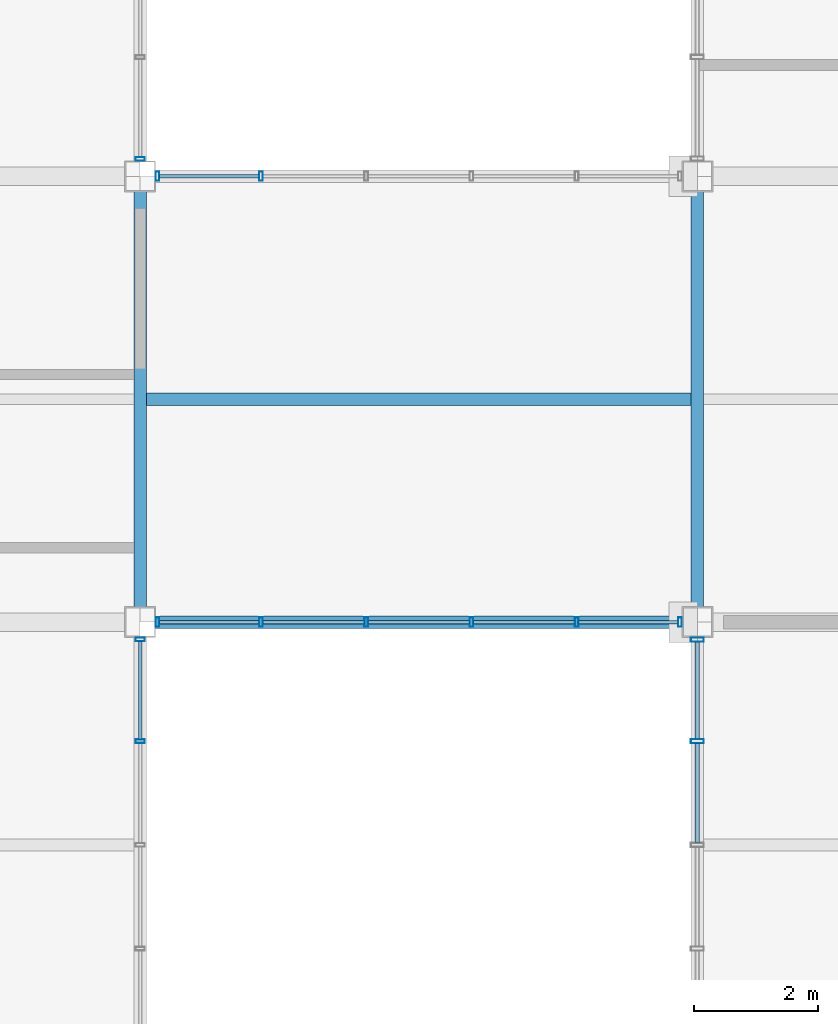
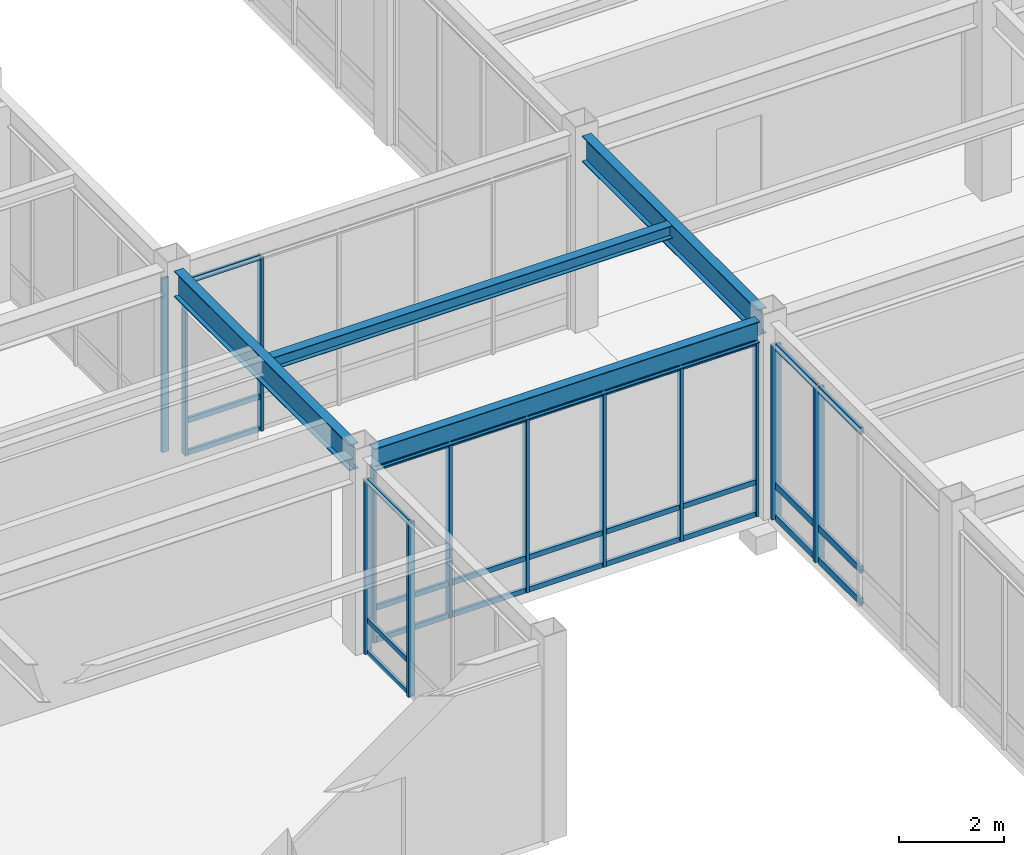
# One storey, part 49 of 112: 40 members, 4 beams, 5 elements without a shape of their own.
"""IFC4 building model written with IfcOpenShell, lengths in metres."""

from ifc_helpers import new_model, si_unit, direction, frame, origin, origin_2d, place, context, subcontext, project, spatial, hollow_rectangle, i_section, extrude, material, material_profile, profile_set, type_object, element, aggregate, save


model = new_model("IFC4")

# Units and contexts
model_context = context("Model", 3, precision=1e-05, world=origin(), true_north=direction((0.0, 1.0)))
body_context = subcontext(model_context, "Body", "Model", "MODEL_VIEW")
ifc_project = project(units=[si_unit("LENGTHUNIT", "METRE"), si_unit("AREAUNIT", "SQUARE_METRE"), si_unit("VOLUMEUNIT", "CUBIC_METRE"), si_unit("PLANEANGLEUNIT", "RADIAN"), si_unit("MASSUNIT", "GRAM", prefix="KILO")], contexts=[model_context])

# Site, building, storey
site_placement = place(None, origin())
site = spatial("IfcSite", under=ifc_project, at=site_placement, CompositionType="ELEMENT")
building_placement = place(site_placement, origin())
building = spatial("IfcBuilding", under=site, at=building_placement, Name="Kazanami Central Library", CompositionType="ELEMENT")
storey_placement = place(building_placement, origin())
storey = spatial("IfcBuildingStorey", under=building, at=storey_placement, Name="L01", CompositionType="ELEMENT", Elevation=0.0)

# Beams
ifc_material_1 = material(Name="Steel SN400B (235 MPa)", Category="steel")
ifc_material_profile_1 = material_profile(ifc_material_1, i_section(OverallWidth=0.199951171875, OverallDepth=0.2939453125, WebThickness=0.008056640625, FlangeThickness=0.011962890625, at=origin_2d()), Name="H-294x200x8x12")
ifc_profile_set_1 = profile_set([ifc_material_profile_1], Name="Steel SN400B (235 MPa)")
beam_type_1 = type_object("IfcBeamType", Name="BM-B-S5", PredefinedType="JOIST", material=ifc_profile_set_1)
beam_1_placement = place(storey_placement, frame((36.097900390625, 68.39990234375, 4.407958984375), z_axis=(1.0, 0.0, 0.0), x_axis=(0.0, 1.0, 0.0)))
element("IfcBeam", 1, at=beam_1_placement, inside=storey, type_object=beam_type_1, Name="Composite Secondary Joist B-S5 L01 Bay 5/K.1", PredefinedType="JOIST", context=body_context, shape_type="SweptSolid", body=[
    extrude(i_section(OverallWidth=0.199951171875, OverallDepth=0.2939453125, WebThickness=0.008056640625, FlangeThickness=0.011962890625, at=origin_2d()), origin(), (0.0, 0.0, 1.0), 8.80419921875),
])
ifc_material_2 = material(Name="Steel SN490B (325 MPa)", Category="steel")
ifc_material_profile_2 = material_profile(ifc_material_2, i_section(OverallWidth=0.199951171875, OverallDepth=0.60009765625, WebThickness=0.010986328125, FlangeThickness=0.01708984375, at=origin_2d()), Name="H-600x200x11x17")
ifc_profile_set_2 = profile_set([ifc_material_profile_2], Name="Steel SN490B (325 MPa)")
beam_type_2 = type_object("IfcBeamType", Name="BM-G-Y1", PredefinedType="BEAM", material=ifc_profile_set_2)
for number, where, z_axis, x_axis, name in (
    (2, (36.0, 65.048095703125, 4.2548828125), (0.0, 1.0, 0.0), (-1.0, 0.0, 0.0), "Girder G-Y1 L01 5/K-L"),
    (3, (45.0, 65.048095703125, 4.2548828125), (0.0, 1.0, 0.0), (-1.0, 0.0, 0.0), "Girder G-Y1 L01 6/K-L"),
):
    element("IfcBeam", number, at=place(storey_placement, frame(where, z_axis=z_axis, x_axis=x_axis)), inside=storey, type_object=beam_type_2, Name=name, PredefinedType="BEAM", context=body_context, shape_type="SweptSolid", body=[
        extrude(i_section(OverallWidth=0.199951171875, OverallDepth=0.60009765625, WebThickness=0.010986328125, FlangeThickness=0.01708984375, at=origin_2d()), origin(), (0.0, 0.0, 1.0), 6.703857421875),
    ])
ifc_material_profile_3 = material_profile(ifc_material_2, i_section(OverallWidth=0.199951171875, OverallDepth=0.5, WebThickness=0.010009765625, FlangeThickness=0.01611328125, at=origin_2d()), Name="H-500x200x10x16")
ifc_profile_set_3 = profile_set([ifc_material_profile_3], Name="Steel SN490B (325 MPa)")
beam_type_3 = type_object("IfcBeamType", Name="BM-SP-1", PredefinedType="SPANDREL", material=ifc_profile_set_3)
beam_2_placement = place(storey_placement, frame((36.248046875, 64.800048828125, 4.304931640625), z_axis=(1.0, 0.0, 0.0), x_axis=(0.0, 1.0, 0.0)))
element("IfcBeam", 4, at=beam_2_placement, inside=storey, type_object=beam_type_3, Name="Covered Link Bridge Girder SP-1 L01 K/5-6", PredefinedType="SPANDREL", context=body_context, shape_type="SweptSolid", body=[
    extrude(i_section(OverallWidth=0.199951171875, OverallDepth=0.5, WebThickness=0.010009765625, FlangeThickness=0.01611328125, at=origin_2d()), origin(), (0.0, 0.0, 1.0), 8.50390625),
])

# Curtain wall, members
ifc_material_3 = material(Name="Acid-Etched Low-E Laminated Glass", Category="glass")
curtain_wall_type_1 = type_object("IfcCurtainWallType", Name="CW-6700x4055-M180", PredefinedType="USERDEFINED", material=ifc_material_3)
curtain_wall_1_placement = place(storey_placement, origin())
curtain_wall_1 = element("IfcCurtainWall", 5, at=curtain_wall_1_placement, inside=storey, type_object=curtain_wall_type_1, Name="Covered Link Bridge Curtain Wall CW-09 L01 W-6-08", ObjectType="UNITISED CURTAIN WALL", PredefinedType="USERDEFINED")
ifc_material_4 = material(Name="Anodised Aluminium A6063-T5", Category="aluminium")
ifc_material_profile_4 = material_profile(ifc_material_4, hollow_rectangle(XDim=0.070068359375, YDim=0.2099609375, WallThickness=0.0048828125, at=origin_2d()), Name="ALU-MULL-70x210x5")
ifc_profile_set_4 = profile_set([ifc_material_profile_4], Name="Anodised Aluminium A6063-T5")
member_type_1 = type_object("IfcMemberType", Name="MEM-CW-M1", PredefinedType="MULLION", material=ifc_profile_set_4)
member_1_placement = place(storey_placement, frame((45.0, 62.875, 0.0), z_axis=(0.0, 0.0, 1.0), x_axis=(0.0, 1.0, 0.0)))
member_1 = element("IfcMember", 6, at=member_1_placement, type_object=member_type_1, Name="CW-09 mullion 4", PredefinedType="MULLION", context=body_context, shape_type="SweptSolid", body=[
    extrude(hollow_rectangle(XDim=0.070068359375, YDim=0.2099609375, WallThickness=0.0048828125, at=origin_2d()), origin(), (0.0, 0.0, 1.0), 4.054931640625),
])
member_2_placement = place(storey_placement, frame((45.0, 64.514892578125, 0.0), z_axis=(0.0, 0.0, 1.0), x_axis=(0.0, 1.0, 0.0)))
member_2 = element("IfcMember", 7, at=member_2_placement, type_object=member_type_1, Name="CW-09 mullion 5", PredefinedType="MULLION", context=body_context, shape_type="SweptSolid", body=[
    extrude(hollow_rectangle(XDim=0.070068359375, YDim=0.2099609375, WallThickness=0.0048828125, at=origin_2d()), origin(), (0.0, 0.0, 1.0), 4.054931640625),
])

curtain_wall_type_2 = type_object("IfcCurtainWallType", Name="CW-8500x4055-M180", PredefinedType="USERDEFINED", material=ifc_material_3)
curtain_wall_2_placement = place(storey_placement, origin())
curtain_wall_2 = element("IfcCurtainWall", 8, at=curtain_wall_2_placement, inside=storey, type_object=curtain_wall_type_2, Name="Covered Link Bridge Curtain Wall CW-02 L01 S-K-04", ObjectType="UNITISED CURTAIN WALL", PredefinedType="USERDEFINED")
ifc_material_profile_5 = material_profile(ifc_material_4, hollow_rectangle(XDim=0.06005859375, YDim=0.14990234375, WallThickness=0.00390625, at=origin_2d()), Name="ALU-MULL-60x150x4")
ifc_profile_set_5 = profile_set([ifc_material_profile_5], Name="Anodised Aluminium A6063-T5")
member_type_2 = type_object("IfcMemberType", Name="MEM-CW-M3", PredefinedType="MULLION", material=ifc_profile_set_5)
member_3_placement = place(storey_placement, frame((36.280029296875, 64.800048828125, 0.0), z_axis=(0.0, 0.0, 1.0), x_axis=(1.0, 0.0, 0.0)))
member_3 = element("IfcMember", 9, at=member_3_placement, type_object=member_type_2, Name="CW-02 mullion 1", PredefinedType="MULLION", context=body_context, shape_type="SweptSolid", body=[
    extrude(hollow_rectangle(XDim=0.06005859375, YDim=0.14990234375, WallThickness=0.00390625, at=origin_2d()), origin(), (0.0, 0.0, 1.0), 4.054931640625),
])
member_4_placement = place(storey_placement, frame((37.949951171875, 64.800048828125, 0.0), z_axis=(0.0, 0.0, 1.0), x_axis=(1.0, 0.0, 0.0)))
member_4 = element("IfcMember", 10, at=member_4_placement, type_object=member_type_2, Name="CW-02 mullion 2", PredefinedType="MULLION", context=body_context, shape_type="SweptSolid", body=[
    extrude(hollow_rectangle(XDim=0.06005859375, YDim=0.14990234375, WallThickness=0.00390625, at=origin_2d()), origin(), (0.0, 0.0, 1.0), 4.054931640625),
])
member_5_placement = place(storey_placement, frame((39.64990234375, 64.800048828125, 0.0), z_axis=(0.0, 0.0, 1.0), x_axis=(1.0, 0.0, 0.0)))
member_5 = element("IfcMember", 11, at=member_5_placement, type_object=member_type_2, Name="CW-02 mullion 3", PredefinedType="MULLION", context=body_context, shape_type="SweptSolid", body=[
    extrude(hollow_rectangle(XDim=0.06005859375, YDim=0.14990234375, WallThickness=0.00390625, at=origin_2d()), origin(), (0.0, 0.0, 1.0), 4.054931640625),
])
member_6_placement = place(storey_placement, frame((41.35009765625, 64.800048828125, 0.0), z_axis=(0.0, 0.0, 1.0), x_axis=(1.0, 0.0, 0.0)))
member_6 = element("IfcMember", 12, at=member_6_placement, type_object=member_type_2, Name="CW-02 mullion 4", PredefinedType="MULLION", context=body_context, shape_type="SweptSolid", body=[
    extrude(hollow_rectangle(XDim=0.06005859375, YDim=0.14990234375, WallThickness=0.00390625, at=origin_2d()), origin(), (0.0, 0.0, 1.0), 4.054931640625),
])
member_7_placement = place(storey_placement, frame((43.050048828125, 64.800048828125, 0.0), z_axis=(0.0, 0.0, 1.0), x_axis=(1.0, 0.0, 0.0)))
member_7 = element("IfcMember", 13, at=member_7_placement, type_object=member_type_2, Name="CW-02 mullion 5", PredefinedType="MULLION", context=body_context, shape_type="SweptSolid", body=[
    extrude(hollow_rectangle(XDim=0.06005859375, YDim=0.14990234375, WallThickness=0.00390625, at=origin_2d()), origin(), (0.0, 0.0, 1.0), 4.054931640625),
])
member_8_placement = place(storey_placement, frame((44.719970703125, 64.800048828125, 0.0), z_axis=(0.0, 0.0, 1.0), x_axis=(1.0, 0.0, 0.0)))
member_8 = element("IfcMember", 14, at=member_8_placement, type_object=member_type_2, Name="CW-02 mullion 6", PredefinedType="MULLION", context=body_context, shape_type="SweptSolid", body=[
    extrude(hollow_rectangle(XDim=0.06005859375, YDim=0.14990234375, WallThickness=0.00390625, at=origin_2d()), origin(), (0.0, 0.0, 1.0), 4.054931640625),
])

curtain_wall_3_placement = place(storey_placement, origin())
curtain_wall_3 = element("IfcCurtainWall", 15, at=curtain_wall_3_placement, inside=storey, type_object=curtain_wall_type_2, Name="Covered Link Bridge Curtain Wall CW-02 L01 N-L-04", ObjectType="UNITISED CURTAIN WALL", PredefinedType="USERDEFINED")
member_9_placement = place(storey_placement, frame((37.949951171875, 72.0, 0.0), z_axis=(0.0, 0.0, 1.0), x_axis=(-1.0, 0.0, 0.0)))
member_9 = element("IfcMember", 16, at=member_9_placement, type_object=member_type_2, Name="CW-02 mullion 5", PredefinedType="MULLION", context=body_context, shape_type="SweptSolid", body=[
    extrude(hollow_rectangle(XDim=0.06005859375, YDim=0.14990234375, WallThickness=0.00390625, at=origin_2d()), origin(), (0.0, 0.0, 1.0), 4.054931640625),
])
member_10_placement = place(storey_placement, frame((36.280029296875, 72.0, 0.0), z_axis=(0.0, 0.0, 1.0), x_axis=(-1.0, 0.0, 0.0)))
member_10 = element("IfcMember", 17, at=member_10_placement, type_object=member_type_2, Name="CW-02 mullion 6", PredefinedType="MULLION", context=body_context, shape_type="SweptSolid", body=[
    extrude(hollow_rectangle(XDim=0.06005859375, YDim=0.14990234375, WallThickness=0.00390625, at=origin_2d()), origin(), (0.0, 0.0, 1.0), 4.054931640625),
])

curtain_wall_4_placement = place(storey_placement, origin())
curtain_wall_4 = element("IfcCurtainWall", 18, at=curtain_wall_4_placement, inside=storey, type_object=curtain_wall_type_1, Name="Covered Link Bridge Curtain Wall CW-09 L01 E-5-08", ObjectType="UNITISED CURTAIN WALL", PredefinedType="USERDEFINED")
member_11_placement = place(storey_placement, frame((36.0, 64.52001953125, 0.0), z_axis=(0.0, 0.0, 1.0), x_axis=(0.0, -1.0, 0.0)))
member_11 = element("IfcMember", 19, at=member_11_placement, type_object=member_type_2, Name="CW-09 mullion 1", PredefinedType="MULLION", context=body_context, shape_type="SweptSolid", body=[
    extrude(hollow_rectangle(XDim=0.06005859375, YDim=0.14990234375, WallThickness=0.00390625, at=origin_2d()), origin(), (0.0, 0.0, 1.0), 4.054931640625),
])
member_12_placement = place(storey_placement, frame((36.0, 62.875, 0.0), z_axis=(0.0, 0.0, 1.0), x_axis=(0.0, -1.0, 0.0)))
member_12 = element("IfcMember", 20, at=member_12_placement, type_object=member_type_2, Name="CW-09 mullion 2", PredefinedType="MULLION", context=body_context, shape_type="SweptSolid", body=[
    extrude(hollow_rectangle(XDim=0.06005859375, YDim=0.14990234375, WallThickness=0.00390625, at=origin_2d()), origin(), (0.0, 0.0, 1.0), 4.054931640625),
])

# Curtain wall, member
curtain_wall_5_placement = place(storey_placement, origin())
curtain_wall_5 = element("IfcCurtainWall", 21, at=curtain_wall_5_placement, inside=storey, type_object=curtain_wall_type_1, Name="Covered Link Bridge Curtain Wall CW-09 L01 E-5-10", ObjectType="UNITISED CURTAIN WALL", PredefinedType="USERDEFINED")
member_13_placement = place(storey_placement, frame((36.0, 72.280029296875, 0.0), z_axis=(0.0, 0.0, 1.0), x_axis=(0.0, -1.0, 0.0)))
member_13 = element("IfcMember", 22, at=member_13_placement, type_object=member_type_2, Name="CW-09 mullion 5", PredefinedType="MULLION", context=body_context, shape_type="SweptSolid", body=[
    extrude(hollow_rectangle(XDim=0.06005859375, YDim=0.14990234375, WallThickness=0.00390625, at=origin_2d()), origin(), (0.0, 0.0, 1.0), 4.054931640625),
])
aggregate(curtain_wall_5, [member_13])

# Member
ifc_material_profile_6 = material_profile(ifc_material_4, hollow_rectangle(XDim=0.070068359375, YDim=0.159912109375, WallThickness=0.00390625, at=origin_2d()), Name="ALU-TRAN-70x160x4")
ifc_profile_set_6 = profile_set([ifc_material_profile_6], Name="Anodised Aluminium A6063-T5")
member_type_3 = type_object("IfcMemberType", Name="MEM-CW-T1", PredefinedType="USERDEFINED", material=ifc_profile_set_6)
member_14_placement = place(storey_placement, frame((45.0, 61.235107421875, 0.034912109375), z_axis=(0.0, 1.0, 0.0), x_axis=(-1.0, 0.0, 0.0)))
member_14 = element("IfcMember", 23, at=member_14_placement, type_object=member_type_3, Name="CW-09 transom 3.1", ObjectType="TRANSOM", PredefinedType="USERDEFINED", context=body_context, shape_type="SweptSolid", body=[
    extrude(hollow_rectangle(XDim=0.070068359375, YDim=0.159912109375, WallThickness=0.00390625, at=origin_2d()), origin(), (0.0, 0.0, 1.0), 1.60498046875),
])

member_15_placement = place(storey_placement, frame((45.0, 61.235107421875, 0.780029296875), z_axis=(0.0, 1.0, 0.0), x_axis=(-1.0, 0.0, 0.0)))
member_15 = element("IfcMember", 24, at=member_15_placement, type_object=member_type_3, Name="CW-09 transom 3.2", ObjectType="TRANSOM", PredefinedType="USERDEFINED", context=body_context, shape_type="SweptSolid", body=[
    extrude(hollow_rectangle(XDim=0.070068359375, YDim=0.159912109375, WallThickness=0.00390625, at=origin_2d()), origin(), (0.0, 0.0, 1.0), 1.60498046875),
])

member_16_placement = place(storey_placement, frame((45.0, 61.235107421875, 4.02001953125), z_axis=(0.0, 1.0, 0.0), x_axis=(-1.0, 0.0, 0.0)))
member_16 = element("IfcMember", 25, at=member_16_placement, type_object=member_type_3, Name="CW-09 transom 3.3", ObjectType="TRANSOM", PredefinedType="USERDEFINED", context=body_context, shape_type="SweptSolid", body=[
    extrude(hollow_rectangle(XDim=0.070068359375, YDim=0.159912109375, WallThickness=0.00390625, at=origin_2d()), origin(), (0.0, 0.0, 1.0), 1.60498046875),
])

member_17_placement = place(storey_placement, frame((45.0, 62.909912109375, 0.034912109375), z_axis=(0.0, 1.0, 0.0), x_axis=(-1.0, 0.0, 0.0)))
member_17 = element("IfcMember", 26, at=member_17_placement, type_object=member_type_3, Name="CW-09 transom 4.1", ObjectType="TRANSOM", PredefinedType="USERDEFINED", context=body_context, shape_type="SweptSolid", body=[
    extrude(hollow_rectangle(XDim=0.070068359375, YDim=0.159912109375, WallThickness=0.00390625, at=origin_2d()), origin(), (0.0, 0.0, 1.0), 1.570068359375),
])

member_18_placement = place(storey_placement, frame((45.0, 62.909912109375, 0.780029296875), z_axis=(0.0, 1.0, 0.0), x_axis=(-1.0, 0.0, 0.0)))
member_18 = element("IfcMember", 27, at=member_18_placement, type_object=member_type_3, Name="CW-09 transom 4.2", ObjectType="TRANSOM", PredefinedType="USERDEFINED", context=body_context, shape_type="SweptSolid", body=[
    extrude(hollow_rectangle(XDim=0.070068359375, YDim=0.159912109375, WallThickness=0.00390625, at=origin_2d()), origin(), (0.0, 0.0, 1.0), 1.570068359375),
])

member_19_placement = place(storey_placement, frame((45.0, 62.909912109375, 4.02001953125), z_axis=(0.0, 1.0, 0.0), x_axis=(-1.0, 0.0, 0.0)))
member_19 = element("IfcMember", 28, at=member_19_placement, type_object=member_type_3, Name="CW-09 transom 4.3", ObjectType="TRANSOM", PredefinedType="USERDEFINED", context=body_context, shape_type="SweptSolid", body=[
    extrude(hollow_rectangle(XDim=0.070068359375, YDim=0.159912109375, WallThickness=0.00390625, at=origin_2d()), origin(), (0.0, 0.0, 1.0), 1.570068359375),
])

aggregate(curtain_wall_1, [member_1, member_2, member_14, member_15, member_16, member_17, member_18, member_19])

ifc_material_profile_7 = material_profile(ifc_material_4, hollow_rectangle(XDim=0.06005859375, YDim=0.1201171875, WallThickness=0.00341796875, at=origin_2d()), Name="ALU-TRAN-60x120x3.5")
ifc_profile_set_7 = profile_set([ifc_material_profile_7], Name="Anodised Aluminium A6063-T5")
member_type_4 = type_object("IfcMemberType", Name="MEM-CW-T3", PredefinedType="USERDEFINED", material=ifc_profile_set_7)
member_20_placement = place(storey_placement, frame((36.31005859375, 64.800048828125, 0.030029296875), z_axis=(1.0, 0.0, 0.0), x_axis=(0.0, 1.0, 0.0)))
member_20 = element("IfcMember", 29, at=member_20_placement, type_object=member_type_4, Name="CW-02 transom 1.1", ObjectType="TRANSOM", PredefinedType="USERDEFINED", context=body_context, shape_type="SweptSolid", body=[
    extrude(hollow_rectangle(XDim=0.06005859375, YDim=0.1201171875, WallThickness=0.00341796875, at=origin_2d()), origin(), (0.0, 0.0, 1.0), 1.60986328125),
])

member_21_placement = place(storey_placement, frame((36.31005859375, 64.800048828125, 0.780029296875), z_axis=(1.0, 0.0, 0.0), x_axis=(0.0, 1.0, 0.0)))
member_21 = element("IfcMember", 30, at=member_21_placement, type_object=member_type_4, Name="CW-02 transom 1.2", ObjectType="TRANSOM", PredefinedType="USERDEFINED", context=body_context, shape_type="SweptSolid", body=[
    extrude(hollow_rectangle(XDim=0.06005859375, YDim=0.1201171875, WallThickness=0.00341796875, at=origin_2d()), origin(), (0.0, 0.0, 1.0), 1.60986328125),
])

member_22_placement = place(storey_placement, frame((36.31005859375, 64.800048828125, 4.02490234375), z_axis=(1.0, 0.0, 0.0), x_axis=(0.0, 1.0, 0.0)))
member_22 = element("IfcMember", 31, at=member_22_placement, type_object=member_type_4, Name="CW-02 transom 1.3", ObjectType="TRANSOM", PredefinedType="USERDEFINED", context=body_context, shape_type="SweptSolid", body=[
    extrude(hollow_rectangle(XDim=0.06005859375, YDim=0.1201171875, WallThickness=0.00341796875, at=origin_2d()), origin(), (0.0, 0.0, 1.0), 1.60986328125),
])

member_23_placement = place(storey_placement, frame((37.97998046875, 64.800048828125, 0.030029296875), z_axis=(1.0, 0.0, 0.0), x_axis=(0.0, 1.0, 0.0)))
member_23 = element("IfcMember", 32, at=member_23_placement, type_object=member_type_4, Name="CW-02 transom 2.1", ObjectType="TRANSOM", PredefinedType="USERDEFINED", context=body_context, shape_type="SweptSolid", body=[
    extrude(hollow_rectangle(XDim=0.06005859375, YDim=0.1201171875, WallThickness=0.00341796875, at=origin_2d()), origin(), (0.0, 0.0, 1.0), 1.64013671875),
])

member_24_placement = place(storey_placement, frame((37.97998046875, 64.800048828125, 0.780029296875), z_axis=(1.0, 0.0, 0.0), x_axis=(0.0, 1.0, 0.0)))
member_24 = element("IfcMember", 33, at=member_24_placement, type_object=member_type_4, Name="CW-02 transom 2.2", ObjectType="TRANSOM", PredefinedType="USERDEFINED", context=body_context, shape_type="SweptSolid", body=[
    extrude(hollow_rectangle(XDim=0.06005859375, YDim=0.1201171875, WallThickness=0.00341796875, at=origin_2d()), origin(), (0.0, 0.0, 1.0), 1.64013671875),
])

member_25_placement = place(storey_placement, frame((37.97998046875, 64.800048828125, 4.02490234375), z_axis=(1.0, 0.0, 0.0), x_axis=(0.0, 1.0, 0.0)))
member_25 = element("IfcMember", 34, at=member_25_placement, type_object=member_type_4, Name="CW-02 transom 2.3", ObjectType="TRANSOM", PredefinedType="USERDEFINED", context=body_context, shape_type="SweptSolid", body=[
    extrude(hollow_rectangle(XDim=0.06005859375, YDim=0.1201171875, WallThickness=0.00341796875, at=origin_2d()), origin(), (0.0, 0.0, 1.0), 1.64013671875),
])

member_26_placement = place(storey_placement, frame((39.679931640625, 64.800048828125, 0.030029296875), z_axis=(1.0, 0.0, 0.0), x_axis=(0.0, 1.0, 0.0)))
member_26 = element("IfcMember", 35, at=member_26_placement, type_object=member_type_4, Name="CW-02 transom 3.1", ObjectType="TRANSOM", PredefinedType="USERDEFINED", context=body_context, shape_type="SweptSolid", body=[
    extrude(hollow_rectangle(XDim=0.06005859375, YDim=0.1201171875, WallThickness=0.00341796875, at=origin_2d()), origin(), (0.0, 0.0, 1.0), 1.64013671875),
])

member_27_placement = place(storey_placement, frame((39.679931640625, 64.800048828125, 0.780029296875), z_axis=(1.0, 0.0, 0.0), x_axis=(0.0, 1.0, 0.0)))
member_27 = element("IfcMember", 36, at=member_27_placement, type_object=member_type_4, Name="CW-02 transom 3.2", ObjectType="TRANSOM", PredefinedType="USERDEFINED", context=body_context, shape_type="SweptSolid", body=[
    extrude(hollow_rectangle(XDim=0.06005859375, YDim=0.1201171875, WallThickness=0.00341796875, at=origin_2d()), origin(), (0.0, 0.0, 1.0), 1.64013671875),
])

member_28_placement = place(storey_placement, frame((39.679931640625, 64.800048828125, 4.02490234375), z_axis=(1.0, 0.0, 0.0), x_axis=(0.0, 1.0, 0.0)))
member_28 = element("IfcMember", 37, at=member_28_placement, type_object=member_type_4, Name="CW-02 transom 3.3", ObjectType="TRANSOM", PredefinedType="USERDEFINED", context=body_context, shape_type="SweptSolid", body=[
    extrude(hollow_rectangle(XDim=0.06005859375, YDim=0.1201171875, WallThickness=0.00341796875, at=origin_2d()), origin(), (0.0, 0.0, 1.0), 1.64013671875),
])

member_29_placement = place(storey_placement, frame((41.3798828125, 64.800048828125, 0.030029296875), z_axis=(1.0, 0.0, 0.0), x_axis=(0.0, 1.0, 0.0)))
member_29 = element("IfcMember", 38, at=member_29_placement, type_object=member_type_4, Name="CW-02 transom 4.1", ObjectType="TRANSOM", PredefinedType="USERDEFINED", context=body_context, shape_type="SweptSolid", body=[
    extrude(hollow_rectangle(XDim=0.06005859375, YDim=0.1201171875, WallThickness=0.00341796875, at=origin_2d()), origin(), (0.0, 0.0, 1.0), 1.64013671875),
])

member_30_placement = place(storey_placement, frame((41.3798828125, 64.800048828125, 0.780029296875), z_axis=(1.0, 0.0, 0.0), x_axis=(0.0, 1.0, 0.0)))
member_30 = element("IfcMember", 39, at=member_30_placement, type_object=member_type_4, Name="CW-02 transom 4.2", ObjectType="TRANSOM", PredefinedType="USERDEFINED", context=body_context, shape_type="SweptSolid", body=[
    extrude(hollow_rectangle(XDim=0.06005859375, YDim=0.1201171875, WallThickness=0.00341796875, at=origin_2d()), origin(), (0.0, 0.0, 1.0), 1.64013671875),
])

member_31_placement = place(storey_placement, frame((41.3798828125, 64.800048828125, 4.02490234375), z_axis=(1.0, 0.0, 0.0), x_axis=(0.0, 1.0, 0.0)))
member_31 = element("IfcMember", 40, at=member_31_placement, type_object=member_type_4, Name="CW-02 transom 4.3", ObjectType="TRANSOM", PredefinedType="USERDEFINED", context=body_context, shape_type="SweptSolid", body=[
    extrude(hollow_rectangle(XDim=0.06005859375, YDim=0.1201171875, WallThickness=0.00341796875, at=origin_2d()), origin(), (0.0, 0.0, 1.0), 1.64013671875),
])

member_32_placement = place(storey_placement, frame((43.080078125, 64.800048828125, 0.030029296875), z_axis=(1.0, 0.0, 0.0), x_axis=(0.0, 1.0, 0.0)))
member_32 = element("IfcMember", 41, at=member_32_placement, type_object=member_type_4, Name="CW-02 transom 5.1", ObjectType="TRANSOM", PredefinedType="USERDEFINED", context=body_context, shape_type="SweptSolid", body=[
    extrude(hollow_rectangle(XDim=0.06005859375, YDim=0.1201171875, WallThickness=0.00341796875, at=origin_2d()), origin(), (0.0, 0.0, 1.0), 1.60986328125),
])

member_33_placement = place(storey_placement, frame((43.080078125, 64.800048828125, 0.780029296875), z_axis=(1.0, 0.0, 0.0), x_axis=(0.0, 1.0, 0.0)))
member_33 = element("IfcMember", 42, at=member_33_placement, type_object=member_type_4, Name="CW-02 transom 5.2", ObjectType="TRANSOM", PredefinedType="USERDEFINED", context=body_context, shape_type="SweptSolid", body=[
    extrude(hollow_rectangle(XDim=0.06005859375, YDim=0.1201171875, WallThickness=0.00341796875, at=origin_2d()), origin(), (0.0, 0.0, 1.0), 1.60986328125),
])

member_34_placement = place(storey_placement, frame((43.080078125, 64.800048828125, 4.02490234375), z_axis=(1.0, 0.0, 0.0), x_axis=(0.0, 1.0, 0.0)))
member_34 = element("IfcMember", 43, at=member_34_placement, type_object=member_type_4, Name="CW-02 transom 5.3", ObjectType="TRANSOM", PredefinedType="USERDEFINED", context=body_context, shape_type="SweptSolid", body=[
    extrude(hollow_rectangle(XDim=0.06005859375, YDim=0.1201171875, WallThickness=0.00341796875, at=origin_2d()), origin(), (0.0, 0.0, 1.0), 1.60986328125),
])

aggregate(curtain_wall_2, [member_3, member_4, member_5, member_6, member_7, member_8, member_20, member_21, member_22, member_23, member_24, member_25, member_26, member_27, member_28, member_29, member_30, member_31, member_32, member_33, member_34])

member_35_placement = place(storey_placement, frame((37.919921875, 72.0, 0.030029296875), z_axis=(-1.0, 0.0, 0.0), x_axis=(0.0, -1.0, 0.0)))
member_35 = element("IfcMember", 44, at=member_35_placement, type_object=member_type_4, Name="CW-02 transom 5.1", ObjectType="TRANSOM", PredefinedType="USERDEFINED", context=body_context, shape_type="SweptSolid", body=[
    extrude(hollow_rectangle(XDim=0.06005859375, YDim=0.1201171875, WallThickness=0.00341796875, at=origin_2d()), origin(), (0.0, 0.0, 1.0), 1.60986328125),
])

member_36_placement = place(storey_placement, frame((37.919921875, 72.0, 0.780029296875), z_axis=(-1.0, 0.0, 0.0), x_axis=(0.0, -1.0, 0.0)))
member_36 = element("IfcMember", 45, at=member_36_placement, type_object=member_type_4, Name="CW-02 transom 5.2", ObjectType="TRANSOM", PredefinedType="USERDEFINED", context=body_context, shape_type="SweptSolid", body=[
    extrude(hollow_rectangle(XDim=0.06005859375, YDim=0.1201171875, WallThickness=0.00341796875, at=origin_2d()), origin(), (0.0, 0.0, 1.0), 1.60986328125),
])

member_37_placement = place(storey_placement, frame((37.919921875, 72.0, 4.02490234375), z_axis=(-1.0, 0.0, 0.0), x_axis=(0.0, -1.0, 0.0)))
member_37 = element("IfcMember", 46, at=member_37_placement, type_object=member_type_4, Name="CW-02 transom 5.3", ObjectType="TRANSOM", PredefinedType="USERDEFINED", context=body_context, shape_type="SweptSolid", body=[
    extrude(hollow_rectangle(XDim=0.06005859375, YDim=0.1201171875, WallThickness=0.00341796875, at=origin_2d()), origin(), (0.0, 0.0, 1.0), 1.60986328125),
])

aggregate(curtain_wall_3, [member_9, member_10, member_35, member_36, member_37])

member_38_placement = place(storey_placement, frame((36.0, 64.489990234375, 0.030029296875), z_axis=(0.0, -1.0, 0.0), x_axis=(1.0, 0.0, 0.0)))
member_38 = element("IfcMember", 47, at=member_38_placement, type_object=member_type_4, Name="CW-09 transom 1.1", ObjectType="TRANSOM", PredefinedType="USERDEFINED", context=body_context, shape_type="SweptSolid", body=[
    extrude(hollow_rectangle(XDim=0.06005859375, YDim=0.1201171875, WallThickness=0.00341796875, at=origin_2d()), origin(), (0.0, 0.0, 1.0), 1.5849609375),
])

member_39_placement = place(storey_placement, frame((36.0, 64.489990234375, 0.780029296875), z_axis=(0.0, -1.0, 0.0), x_axis=(1.0, 0.0, 0.0)))
member_39 = element("IfcMember", 48, at=member_39_placement, type_object=member_type_4, Name="CW-09 transom 1.2", ObjectType="TRANSOM", PredefinedType="USERDEFINED", context=body_context, shape_type="SweptSolid", body=[
    extrude(hollow_rectangle(XDim=0.06005859375, YDim=0.1201171875, WallThickness=0.00341796875, at=origin_2d()), origin(), (0.0, 0.0, 1.0), 1.5849609375),
])

member_40_placement = place(storey_placement, frame((36.0, 64.489990234375, 4.02490234375), z_axis=(0.0, -1.0, 0.0), x_axis=(1.0, 0.0, 0.0)))
member_40 = element("IfcMember", 49, at=member_40_placement, type_object=member_type_4, Name="CW-09 transom 1.3", ObjectType="TRANSOM", PredefinedType="USERDEFINED", context=body_context, shape_type="SweptSolid", body=[
    extrude(hollow_rectangle(XDim=0.06005859375, YDim=0.1201171875, WallThickness=0.00341796875, at=origin_2d()), origin(), (0.0, 0.0, 1.0), 1.5849609375),
])

aggregate(curtain_wall_4, [member_11, member_12, member_38, member_39, member_40])

save(model, "model.ifc")
